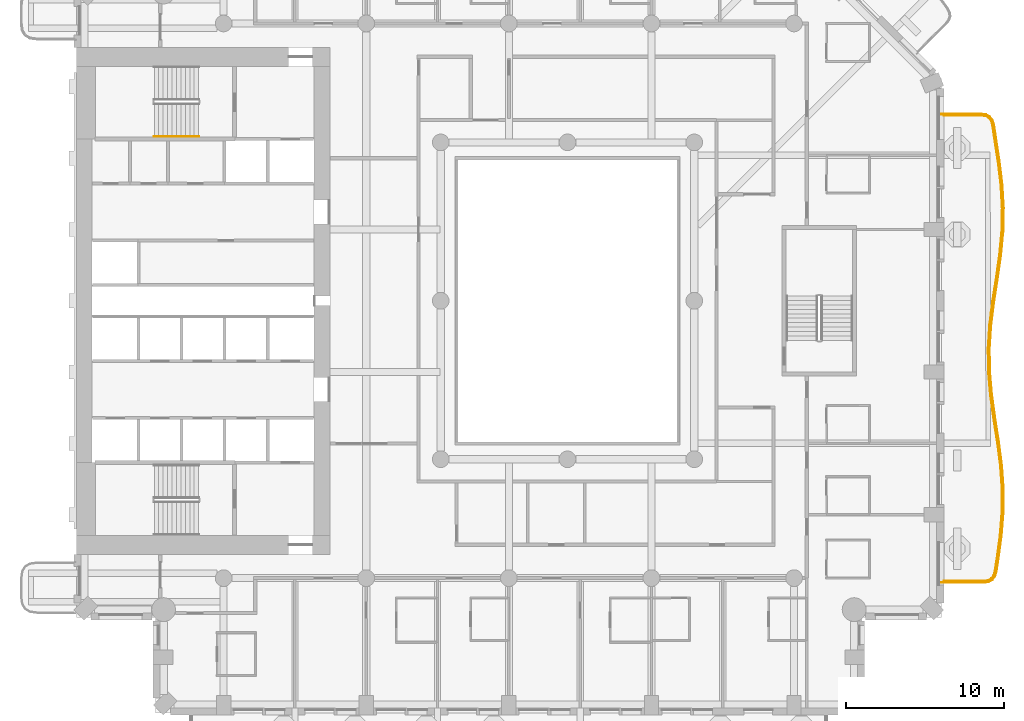
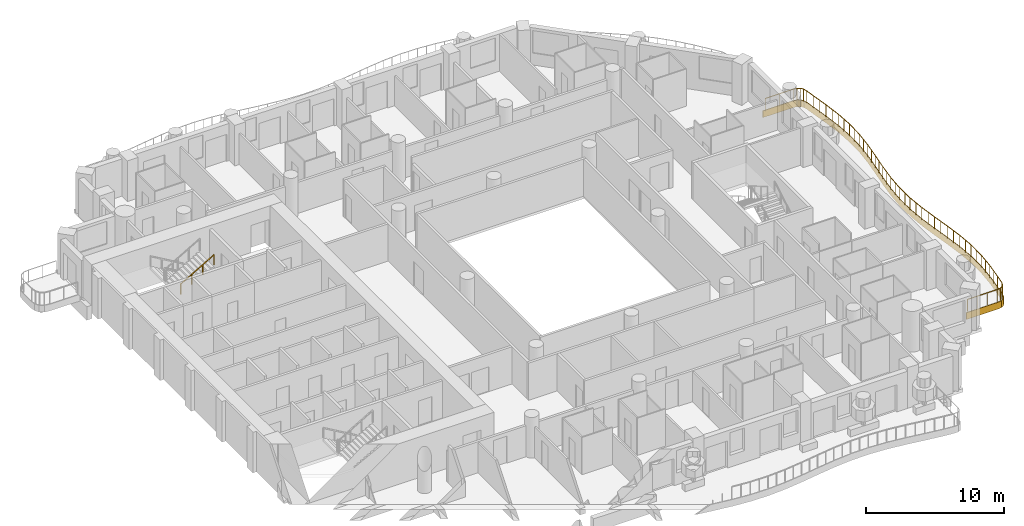
# One storey, part 16 of 20: 2 railings, 1 covering.
"""IFC4 building model written with IfcOpenShell, lengths in metres."""

from ifc_helpers import new_model, si_unit, direction, frame, origin, origin_2d, place, context, subcontext, project, spatial, polyline, rectangle, outline, extrude, material, layer, layer_set, type_object, element, save


model = new_model("IFC4")

# Units and contexts
model_context = context("Model", 3, precision=1e-05, world=origin(), true_north=direction((0.0, 1.0)))
body_context = subcontext(model_context, "Body", "Model", "MODEL_VIEW")
ifc_project = project(units=[si_unit("LENGTHUNIT", "METRE"), si_unit("AREAUNIT", "SQUARE_METRE"), si_unit("VOLUMEUNIT", "CUBIC_METRE"), si_unit("PLANEANGLEUNIT", "RADIAN"), si_unit("MASSUNIT", "GRAM", prefix="KILO")], contexts=[model_context])

# Site, building, storey
site_placement = place(None, origin())
site = spatial("IfcSite", under=ifc_project, at=site_placement, CompositionType="ELEMENT")
building_placement = place(site_placement, origin())
building = spatial("IfcBuilding", under=site, at=building_placement, Name="Cypress Arch Tower", CompositionType="ELEMENT")
storey_placement = place(building_placement, frame((0.0, 0.0, 113.10009765625)))
storey = spatial("IfcBuildingStorey", under=building, at=storey_placement, Name="L23", CompositionType="ELEMENT", Elevation=113.10009765625)

# Covering
ifc_material_1 = material(Name="White powder-coated aluminium fascia", Category="aluminium")
ifc_layer = layer(ifc_material_1, 0.050048828125)
ifc_layer_set = layer_set([ifc_layer], Name="Balcony fascia BF50")
covering_type = type_object("IfcCoveringType", Name="Balcony fascia BF50", PredefinedType="CLADDING", material=ifc_layer_set)
covering_placement = place(storey_placement, frame((0.0, 0.0, -0.60009765625)))
element("IfcCovering", 1, at=covering_placement, inside=storey, type_object=covering_type, Name="Balcony fascia L23-A06", PredefinedType="CLADDING", context=body_context, shape_type="SweptSolid", body=[
    extrude(outline(polyline([(27.12451171875, 11.800048828125), (27.4365234375, 11.7568359375), (27.681884765625, 11.622802734375), (27.849853515625, 11.3994140625), (27.9375, 11.096923828125), (28.056396484375, 10.282470703125), (28.282470703125, 8.806884765625), (28.461669921875, 7.329345703125), (28.546630859375, 5.850830078125), (28.515625, 4.3720703125), (28.376708984375, 2.89404296875), (28.166015625, 1.417724609375), (27.938232421875, -0.056884765625), (27.752685546875, -1.52978515625), (27.65673828125, -3.001220703125), (27.67578125, -4.472412109375), (27.804443359375, -5.9443359375), (28.009765625, -7.417724609375), (28.238525390625, -8.892822265625), (28.431640625, -10.369873046875), (28.53857421875, -11.848388671875), (28.531494140625, -13.3271484375), (28.412353515625, -14.805419921875), (28.212158203125, -16.2822265625), (28.08544921875, -17.097412109375), (27.994873046875, -17.399658203125), (27.82470703125, -17.622802734375), (27.577880859375, -17.7568359375), (27.26513671875, -17.800048828125), (24.60107421875, -17.800048828125), (24.60107421875, -17.75), (27.26171875, -17.75), (27.562255859375, -17.70849609375), (27.791259765625, -17.583984375), (27.949462890625, -17.376708984375), (28.03662109375, -17.086181640625), (28.16259765625, -16.27490234375), (28.362548828125, -14.800048828125), (28.4814453125, -13.324951171875), (28.488525390625, -11.85009765625), (28.3818359375, -10.375), (28.18896484375, -8.89990234375), (27.960205078125, -7.425048828125), (27.7548828125, -5.949951171875), (27.625732421875, -4.47509765625), (27.60693359375, -3.0), (27.702880859375, -1.52490234375), (27.888671875, -0.050048828125), (28.116455078125, 1.425048828125), (28.3271484375, 2.89990234375), (28.4658203125, 4.375), (28.49658203125, 5.85009765625), (28.41162109375, 7.324951171875), (28.23291015625, 8.800048828125), (28.0068359375, 10.27490234375), (27.888671875, 11.086181640625), (27.804443359375, 11.376708984375), (27.6484375, 11.583984375), (27.420654296875, 11.70849609375), (27.12109375, 11.75), (24.60107421875, 11.75), (24.60107421875, 11.800048828125), (27.12451171875, 11.800048828125)])), origin(), (0.0, 0.0, 1.0), 0.60009765625),
])

# Railings
ifc_material_2 = material(Name="Powder-coated steel posts and rods, 100 mm clear between rods", Category="steel")
railing_type_1 = type_object("IfcRailingType", Name="Balcony guard GR1100", PredefinedType="GUARDRAIL", material=ifc_material_2)
railing_1_placement = place(storey_placement, frame((24.75, 11.699951171875, 0.0)))
element("IfcRailing", 2, at=railing_1_placement, inside=storey, type_object=railing_type_1, Name="Balcony guard L23-A06", PredefinedType="GUARDRAIL", context=body_context, shape_type="SweptSolid", body=[
    extrude(rectangle(XDim=0.050048828125, YDim=0.050048828125, at=origin_2d()), frame((0.0, 0.0, 1.0751953125), z_axis=(1.0, 0.0, 0.0), x_axis=(0.0, 1.0, 0.0)), (0.0, 0.0, 1.0), 2.36767578125),
    extrude(rectangle(XDim=0.050048828125, YDim=0.050048828125, at=origin_2d()), frame((2.36767578125, 0.0, 1.0751953125), z_axis=(0.990530491706, -0.137292916793, 0.0), x_axis=(0.137292916793, 0.990530491706, 0.0)), (0.0, 0.0, 1.0), 0.289794921875),
    extrude(rectangle(XDim=0.050048828125, YDim=0.050048828125, at=origin_2d()), frame((2.65478515625, -0.039794921875, 1.0751953125), z_axis=(0.877739688135, -0.479137808854, 0.0), x_axis=(0.479137808854, 0.877739688135, 0.0)), (0.0, 0.0, 1.0), 0.239501953125),
    extrude(rectangle(XDim=0.050048828125, YDim=0.050048828125, at=origin_2d()), frame((2.864990234375, -0.154541015625, 1.0751953125), z_axis=(0.601303725627, -0.799020543883, 0.0), x_axis=(0.799020543883, 0.601303725627, 0.0)), (0.0, 0.0, 1.0), 0.239501953125),
    extrude(rectangle(XDim=0.050048828125, YDim=0.050048828125, at=origin_2d()), frame((3.009033203125, -0.345947265625, 1.0751953125), z_axis=(0.278058076541, -0.960564264415, 0.0), x_axis=(0.960564264415, 0.278058076541, 0.0)), (0.0, 0.0, 1.0), 0.289794921875),
    extrude(rectangle(XDim=0.050048828125, YDim=0.050048828125, at=origin_2d()), frame((3.089599609375, -0.624267578125, 1.0751953125), z_axis=(0.144392270177, -0.989520526474, 0.0), x_axis=(0.989520526474, 0.144392270177, 0.0)), (0.0, 0.0, 1.0), 0.816650390625),
    extrude(rectangle(XDim=0.050048828125, YDim=0.050048828125, at=origin_2d()), frame((3.20751953125, -1.432373046875, 1.0751953125), z_axis=(0.15156518738, -0.988447264134, 0.0), x_axis=(0.988447264134, 0.15156518738, 0.0)), (0.0, 0.0, 1.0), 1.49169921875),
    extrude(rectangle(XDim=0.050048828125, YDim=0.050048828125, at=origin_2d()), frame((3.43359375, -2.90673828125, 1.0751953125), z_axis=(0.120144591302, -0.992756403747, 0.0), x_axis=(0.992756403747, 0.120144591302, 0.0)), (0.0, 0.0, 1.0), 1.4833984375),
    extrude(rectangle(XDim=0.050048828125, YDim=0.050048828125, at=origin_2d()), frame((3.61181640625, -4.37939453125, 1.0751953125), z_axis=(0.057479062397, -0.998346712012, 0.0), x_axis=(0.998346712012, 0.057479062397, 0.0)), (0.0, 0.0, 1.0), 1.473876953125),
    extrude(rectangle(XDim=0.050048828125, YDim=0.050048828125, at=origin_2d()), frame((3.696533203125, -5.850830078125, 1.0751953125), z_axis=(-0.020904823309, -0.999781470304, 0.0), x_axis=(0.999781470304, -0.020904823309, 0.0)), (0.0, 0.0, 1.0), 1.471435546875),
    extrude(rectangle(XDim=0.050048828125, YDim=0.050048828125, at=origin_2d()), frame((3.665771484375, -7.322021484375, 1.0751953125), z_axis=(-0.093616899337, -0.995608294541, 0.0), x_axis=(0.995608294541, -0.093616899337, 0.0)), (0.0, 0.0, 1.0), 1.478759765625),
    extrude(rectangle(XDim=0.050048828125, YDim=0.050048828125, at=origin_2d()), frame((3.52734375, -8.794189453125, 1.0751953125), z_axis=(-0.141237630055, -0.989975722862, 0.0), x_axis=(0.989975722862, -0.141237630055, 0.0)), (0.0, 0.0, 1.0), 1.48828125),
    extrude(rectangle(XDim=0.050048828125, YDim=0.050048828125, at=origin_2d()), frame((3.317138671875, -10.267578125, 1.0751953125), z_axis=(-0.152745334218, -0.988265583168, 0.0), x_axis=(0.988265583168, -0.152745334218, 0.0)), (0.0, 0.0, 1.0), 1.492919921875),
    extrude(rectangle(XDim=0.050048828125, YDim=0.050048828125, at=origin_2d()), frame((3.089111328125, -11.742919921875, 1.0751953125), z_axis=(-0.124942807228, -0.992163945587, 0.0), x_axis=(0.992163945587, -0.124942807228, 0.0)), (0.0, 0.0, 1.0), 1.489013671875),
    extrude(rectangle(XDim=0.050048828125, YDim=0.050048828125, at=origin_2d()), frame((2.903076171875, -13.22021484375, 1.0751953125), z_axis=(-0.064922191166, -0.997890329192, 0.0), x_axis=(0.997890329192, -0.064922191166, 0.0)), (0.0, 0.0, 1.0), 1.481689453125),
    extrude(rectangle(XDim=0.050048828125, YDim=0.050048828125, at=origin_2d()), frame((2.806884765625, -14.69873046875, 1.0751953125), z_axis=(0.012876594563, -0.999917093219, 0.0), x_axis=(0.999917093219, 0.012876594563, 0.0)), (0.0, 0.0, 1.0), 1.47900390625),
    extrude(rectangle(XDim=0.050048828125, YDim=0.050048828125, at=origin_2d()), frame((2.825927734375, -16.177490234375, 1.0751953125), z_axis=(0.087048555173, -0.996204069979, 0.0), x_axis=(0.996204069979, 0.087048555173, 0.0)), (0.0, 0.0, 1.0), 1.483642578125),
    extrude(rectangle(XDim=0.050048828125, YDim=0.050048828125, at=origin_2d()), frame((2.955078125, -17.655517578125, 1.0751953125), z_axis=(0.138027952612, -0.990428333751, 0.0), x_axis=(0.990428333751, 0.138027952612, 0.0)), (0.0, 0.0, 1.0), 1.490966796875),
    extrude(rectangle(XDim=0.050048828125, YDim=0.050048828125, at=origin_2d()), frame((3.160888671875, -19.13232421875, 1.0751953125), z_axis=(0.153298767153, -0.988179886452, 0.0), x_axis=(0.988179886452, 0.153298767153, 0.0)), (0.0, 0.0, 1.0), 1.4921875),
    extrude(rectangle(XDim=0.050048828125, YDim=0.050048828125, at=origin_2d()), frame((3.3896484375, -20.60693359375, 1.0751953125), z_axis=(0.129493740251, -0.991580239434, 0.0), x_axis=(0.991580239434, 0.129493740251, 0.0)), (0.0, 0.0, 1.0), 1.485595703125),
    extrude(rectangle(XDim=0.050048828125, YDim=0.050048828125, at=origin_2d()), frame((3.58203125, -22.080078125, 1.0751953125), z_axis=(0.072140674795, -0.997394467119, 0.0), x_axis=(0.997394467119, 0.072140674795, 0.0)), (0.0, 0.0, 1.0), 1.4755859375),
    extrude(rectangle(XDim=0.050048828125, YDim=0.050048828125, at=origin_2d()), frame((3.6884765625, -23.5517578125, 1.0751953125), z_axis=(-0.004813222253, -0.999988416379, 0.0), x_axis=(0.999988416379, -0.004813222253, 0.0)), (0.0, 0.0, 1.0), 1.470947265625),
    extrude(rectangle(XDim=0.050048828125, YDim=0.050048828125, at=origin_2d()), frame((3.681396484375, -25.022705078125, 1.0751953125), z_axis=(-0.080185483578, -0.996779959782, 0.0), x_axis=(0.996779959782, -0.080185483578, 0.0)), (0.0, 0.0, 1.0), 1.4765625),
    extrude(rectangle(XDim=0.050048828125, YDim=0.050048828125, at=origin_2d()), frame((3.56298828125, -26.49462890625, 1.0751953125), z_axis=(-0.134336340635, -0.990935793876, 0.0), x_axis=(0.990935793876, -0.134336340635, 0.0)), (0.0, 0.0, 1.0), 1.486572265625),
    extrude(rectangle(XDim=0.050048828125, YDim=0.050048828125, at=origin_2d()), frame((3.36328125, -27.9677734375, 1.0751953125), z_axis=(-0.153583825223, -0.988135622589, 0.0), x_axis=(0.988135622589, -0.153583825223, 0.0)), (0.0, 0.0, 1.0), 0.817138671875),
    extrude(rectangle(XDim=0.050048828125, YDim=0.050048828125, at=origin_2d()), frame((3.23779296875, -28.775146484375, 1.0751953125), z_axis=(-0.287347885566, -0.957826285221, 0.0), x_axis=(0.957826285221, -0.287347885566, 0.0)), (0.0, 0.0, 1.0), 0.29052734375),
    extrude(rectangle(XDim=0.050048828125, YDim=0.050048828125, at=origin_2d()), frame((3.154296875, -29.053466796875, 1.0751953125), z_axis=(-0.606622792633, -0.794989803367, 0.0), x_axis=(0.794989803367, -0.606622792633, 0.0)), (0.0, 0.0, 1.0), 0.240966796875),
    extrude(rectangle(XDim=0.050048828125, YDim=0.050048828125, at=origin_2d()), frame((3.008056640625, -29.2451171875, 1.0751953125), z_axis=(-0.878707691541, -0.477360233813, 0.0), x_axis=(0.477360233813, -0.878707691541, 0.0)), (0.0, 0.0, 1.0), 0.240966796875),
    extrude(rectangle(XDim=0.050048828125, YDim=0.050048828125, at=origin_2d()), frame((2.79638671875, -29.360107421875, 1.0751953125), z_axis=(-0.990593681499, -0.136836245834, 0.0), x_axis=(0.136836245834, -0.990593681499, 0.0)), (0.0, 0.0, 1.0), 0.290771484375),
    extrude(rectangle(XDim=0.050048828125, YDim=0.050048828125, at=origin_2d()), frame((2.50830078125, -29.39990234375, 1.0751953125), z_axis=(-1.0, 0.0, 0.0), x_axis=(0.0, -1.0, 0.0)), (0.0, 0.0, 1.0), 2.50830078125),
    extrude(rectangle(XDim=0.0400390625, YDim=0.0400390625, at=origin_2d()), origin(), (0.0, 0.0, 1.0), 1.050048828125),
    extrude(rectangle(XDim=0.0400390625, YDim=0.0400390625, at=origin_2d()), frame((1.183837890625, 0.0, 0.0)), (0.0, 0.0, 1.0), 1.050048828125),
    extrude(rectangle(XDim=0.0400390625, YDim=0.0400390625, at=origin_2d()), frame((2.36767578125, 0.0, 0.0)), (0.0, 0.0, 1.0), 1.050048828125),
    extrude(rectangle(XDim=0.0400390625, YDim=0.0400390625, at=origin_2d()), frame((2.65478515625, -0.039794921875, 0.0)), (0.0, 0.0, 1.0), 1.050048828125),
    extrude(rectangle(XDim=0.0400390625, YDim=0.0400390625, at=origin_2d()), frame((2.864990234375, -0.154541015625, 0.0)), (0.0, 0.0, 1.0), 1.050048828125),
    extrude(rectangle(XDim=0.0400390625, YDim=0.0400390625, at=origin_2d()), frame((3.009033203125, -0.345947265625, 0.0)), (0.0, 0.0, 1.0), 1.050048828125),
    extrude(rectangle(XDim=0.0400390625, YDim=0.0400390625, at=origin_2d()), frame((3.089599609375, -0.624267578125, 0.0)), (0.0, 0.0, 1.0), 1.050048828125),
    extrude(rectangle(XDim=0.0400390625, YDim=0.0400390625, at=origin_2d()), frame((3.20751953125, -1.432373046875, 0.0)), (0.0, 0.0, 1.0), 1.050048828125),
    extrude(rectangle(XDim=0.0400390625, YDim=0.0400390625, at=origin_2d()), frame((3.320556640625, -2.16943359375, 0.0)), (0.0, 0.0, 1.0), 1.050048828125),
    extrude(rectangle(XDim=0.0400390625, YDim=0.0400390625, at=origin_2d()), frame((3.43359375, -2.90673828125, 0.0)), (0.0, 0.0, 1.0), 1.050048828125),
    extrude(rectangle(XDim=0.0400390625, YDim=0.0400390625, at=origin_2d()), frame((3.522705078125, -3.64306640625, 0.0)), (0.0, 0.0, 1.0), 1.050048828125),
    extrude(rectangle(XDim=0.0400390625, YDim=0.0400390625, at=origin_2d()), frame((3.61181640625, -4.37939453125, 0.0)), (0.0, 0.0, 1.0), 1.050048828125),
    extrude(rectangle(XDim=0.0400390625, YDim=0.0400390625, at=origin_2d()), frame((3.654296875, -5.115234375, 0.0)), (0.0, 0.0, 1.0), 1.050048828125),
    extrude(rectangle(XDim=0.0400390625, YDim=0.0400390625, at=origin_2d()), frame((3.696533203125, -5.850830078125, 0.0)), (0.0, 0.0, 1.0), 1.050048828125),
    extrude(rectangle(XDim=0.0400390625, YDim=0.0400390625, at=origin_2d()), frame((3.68115234375, -6.58642578125, 0.0)), (0.0, 0.0, 1.0), 1.050048828125),
    extrude(rectangle(XDim=0.0400390625, YDim=0.0400390625, at=origin_2d()), frame((3.665771484375, -7.322021484375, 0.0)), (0.0, 0.0, 1.0), 1.050048828125),
    extrude(rectangle(XDim=0.0400390625, YDim=0.0400390625, at=origin_2d()), frame((3.5966796875, -8.05810546875, 0.0)), (0.0, 0.0, 1.0), 1.050048828125),
    extrude(rectangle(XDim=0.0400390625, YDim=0.0400390625, at=origin_2d()), frame((3.52734375, -8.794189453125, 0.0)), (0.0, 0.0, 1.0), 1.050048828125),
    extrude(rectangle(XDim=0.0400390625, YDim=0.0400390625, at=origin_2d()), frame((3.42236328125, -9.53076171875, 0.0)), (0.0, 0.0, 1.0), 1.050048828125),
    extrude(rectangle(XDim=0.0400390625, YDim=0.0400390625, at=origin_2d()), frame((3.317138671875, -10.267578125, 0.0)), (0.0, 0.0, 1.0), 1.050048828125),
    extrude(rectangle(XDim=0.0400390625, YDim=0.0400390625, at=origin_2d()), frame((3.203125, -11.00537109375, 0.0)), (0.0, 0.0, 1.0), 1.050048828125),
    extrude(rectangle(XDim=0.0400390625, YDim=0.0400390625, at=origin_2d()), frame((3.089111328125, -11.742919921875, 0.0)), (0.0, 0.0, 1.0), 1.050048828125),
    extrude(rectangle(XDim=0.0400390625, YDim=0.0400390625, at=origin_2d()), frame((2.99609375, -12.4814453125, 0.0)), (0.0, 0.0, 1.0), 1.050048828125),
    extrude(rectangle(XDim=0.0400390625, YDim=0.0400390625, at=origin_2d()), frame((2.903076171875, -13.22021484375, 0.0)), (0.0, 0.0, 1.0), 1.050048828125),
    extrude(rectangle(XDim=0.0400390625, YDim=0.0400390625, at=origin_2d()), frame((2.85498046875, -13.95947265625, 0.0)), (0.0, 0.0, 1.0), 1.050048828125),
    extrude(rectangle(XDim=0.0400390625, YDim=0.0400390625, at=origin_2d()), frame((2.806884765625, -14.69873046875, 0.0)), (0.0, 0.0, 1.0), 1.050048828125),
    extrude(rectangle(XDim=0.0400390625, YDim=0.0400390625, at=origin_2d()), frame((2.81640625, -15.43798828125, 0.0)), (0.0, 0.0, 1.0), 1.050048828125),
    extrude(rectangle(XDim=0.0400390625, YDim=0.0400390625, at=origin_2d()), frame((2.825927734375, -16.177490234375, 0.0)), (0.0, 0.0, 1.0), 1.050048828125),
    extrude(rectangle(XDim=0.0400390625, YDim=0.0400390625, at=origin_2d()), frame((2.890625, -16.91650390625, 0.0)), (0.0, 0.0, 1.0), 1.050048828125),
    extrude(rectangle(XDim=0.0400390625, YDim=0.0400390625, at=origin_2d()), frame((2.955078125, -17.655517578125, 0.0)), (0.0, 0.0, 1.0), 1.050048828125),
    extrude(rectangle(XDim=0.0400390625, YDim=0.0400390625, at=origin_2d()), frame((3.05810546875, -18.39404296875, 0.0)), (0.0, 0.0, 1.0), 1.050048828125),
    extrude(rectangle(XDim=0.0400390625, YDim=0.0400390625, at=origin_2d()), frame((3.160888671875, -19.13232421875, 0.0)), (0.0, 0.0, 1.0), 1.050048828125),
    extrude(rectangle(XDim=0.0400390625, YDim=0.0400390625, at=origin_2d()), frame((3.275390625, -19.86962890625, 0.0)), (0.0, 0.0, 1.0), 1.050048828125),
    extrude(rectangle(XDim=0.0400390625, YDim=0.0400390625, at=origin_2d()), frame((3.3896484375, -20.60693359375, 0.0)), (0.0, 0.0, 1.0), 1.050048828125),
    extrude(rectangle(XDim=0.0400390625, YDim=0.0400390625, at=origin_2d()), frame((3.48583984375, -21.343505859375, 0.0)), (0.0, 0.0, 1.0), 1.050048828125),
    extrude(rectangle(XDim=0.0400390625, YDim=0.0400390625, at=origin_2d()), frame((3.58203125, -22.080078125, 0.0)), (0.0, 0.0, 1.0), 1.050048828125),
    extrude(rectangle(XDim=0.0400390625, YDim=0.0400390625, at=origin_2d()), frame((3.63525390625, -22.81591796875, 0.0)), (0.0, 0.0, 1.0), 1.050048828125),
    extrude(rectangle(XDim=0.0400390625, YDim=0.0400390625, at=origin_2d()), frame((3.6884765625, -23.5517578125, 0.0)), (0.0, 0.0, 1.0), 1.050048828125),
    extrude(rectangle(XDim=0.0400390625, YDim=0.0400390625, at=origin_2d()), frame((3.68505859375, -24.287109375, 0.0)), (0.0, 0.0, 1.0), 1.050048828125),
    extrude(rectangle(XDim=0.0400390625, YDim=0.0400390625, at=origin_2d()), frame((3.681396484375, -25.022705078125, 0.0)), (0.0, 0.0, 1.0), 1.050048828125),
    extrude(rectangle(XDim=0.0400390625, YDim=0.0400390625, at=origin_2d()), frame((3.6220703125, -25.7587890625, 0.0)), (0.0, 0.0, 1.0), 1.050048828125),
    extrude(rectangle(XDim=0.0400390625, YDim=0.0400390625, at=origin_2d()), frame((3.56298828125, -26.49462890625, 0.0)), (0.0, 0.0, 1.0), 1.050048828125),
    extrude(rectangle(XDim=0.0400390625, YDim=0.0400390625, at=origin_2d()), frame((3.463134765625, -27.231201171875, 0.0)), (0.0, 0.0, 1.0), 1.050048828125),
    extrude(rectangle(XDim=0.0400390625, YDim=0.0400390625, at=origin_2d()), frame((3.36328125, -27.9677734375, 0.0)), (0.0, 0.0, 1.0), 1.050048828125),
    extrude(rectangle(XDim=0.0400390625, YDim=0.0400390625, at=origin_2d()), frame((3.23779296875, -28.775146484375, 0.0)), (0.0, 0.0, 1.0), 1.050048828125),
    extrude(rectangle(XDim=0.0400390625, YDim=0.0400390625, at=origin_2d()), frame((3.154296875, -29.053466796875, 0.0)), (0.0, 0.0, 1.0), 1.050048828125),
    extrude(rectangle(XDim=0.0400390625, YDim=0.0400390625, at=origin_2d()), frame((3.008056640625, -29.2451171875, 0.0)), (0.0, 0.0, 1.0), 1.050048828125),
    extrude(rectangle(XDim=0.0400390625, YDim=0.0400390625, at=origin_2d()), frame((2.79638671875, -29.360107421875, 0.0)), (0.0, 0.0, 1.0), 1.050048828125),
    extrude(rectangle(XDim=0.0400390625, YDim=0.0400390625, at=origin_2d()), frame((2.50830078125, -29.39990234375, 0.0)), (0.0, 0.0, 1.0), 1.050048828125),
    extrude(rectangle(XDim=0.0400390625, YDim=0.0400390625, at=origin_2d()), frame((1.672119140625, -29.39990234375, 0.0)), (0.0, 0.0, 1.0), 1.050048828125),
    extrude(rectangle(XDim=0.0400390625, YDim=0.0400390625, at=origin_2d()), frame((0.836181640625, -29.39990234375, 0.0)), (0.0, 0.0, 1.0), 1.050048828125),
    extrude(rectangle(XDim=0.0400390625, YDim=0.0400390625, at=origin_2d()), frame((0.0, -29.39990234375, 0.0)), (0.0, 0.0, 1.0), 1.050048828125),
])
ifc_material_3 = material(Name="Black powder-coated steel square bar 48 mm", Category="steel")
railing_type_2 = type_object("IfcRailingType", Name="Stair handrail HR1", PredefinedType="HANDRAIL", material=ifc_material_3)
railing_2_placement = place(storey_placement, frame((-25.074951171875, 10.375, 1.963623046875)))
element("IfcRailing", 3, at=railing_2_placement, inside=storey, type_object=railing_type_2, Name="L23 B stair handrail 2", PredefinedType="HANDRAIL", context=body_context, shape_type="SweptSolid", body=[
    extrude(rectangle(XDim=0.048095703125, YDim=0.048095703125, at=origin_2d()), frame((0.0, 0.0, 0.8759765625), z_axis=(0.863393664356, 0.0, 0.504530851732), x_axis=(0.0, 1.0, 0.0)), (0.0, 0.0, 1.0), 3.2431640625),
    extrude(rectangle(XDim=0.0419921875, YDim=0.0419921875, at=origin_2d()), origin(), (0.0, 0.0, 1.0), 0.851806640625),
    extrude(rectangle(XDim=0.0419921875, YDim=0.0419921875, at=origin_2d()), frame((0.933349609375, 0.0, 0.54541015625)), (0.0, 0.0, 1.0), 0.851806640625),
    extrude(rectangle(XDim=0.0419921875, YDim=0.0419921875, at=origin_2d()), frame((1.86669921875, 0.0, 1.0908203125)), (0.0, 0.0, 1.0), 0.851806640625),
    extrude(rectangle(XDim=0.0419921875, YDim=0.0419921875, at=origin_2d()), frame((2.800048828125, 0.0, 1.63623046875)), (0.0, 0.0, 1.0), 0.851806640625),
])

save(model, "model.ifc")
